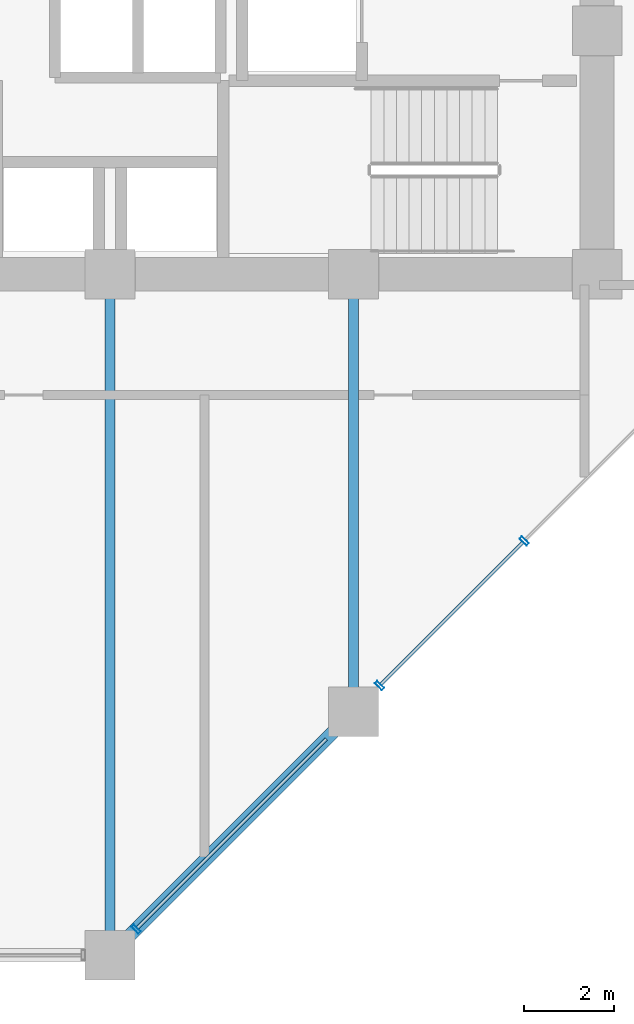
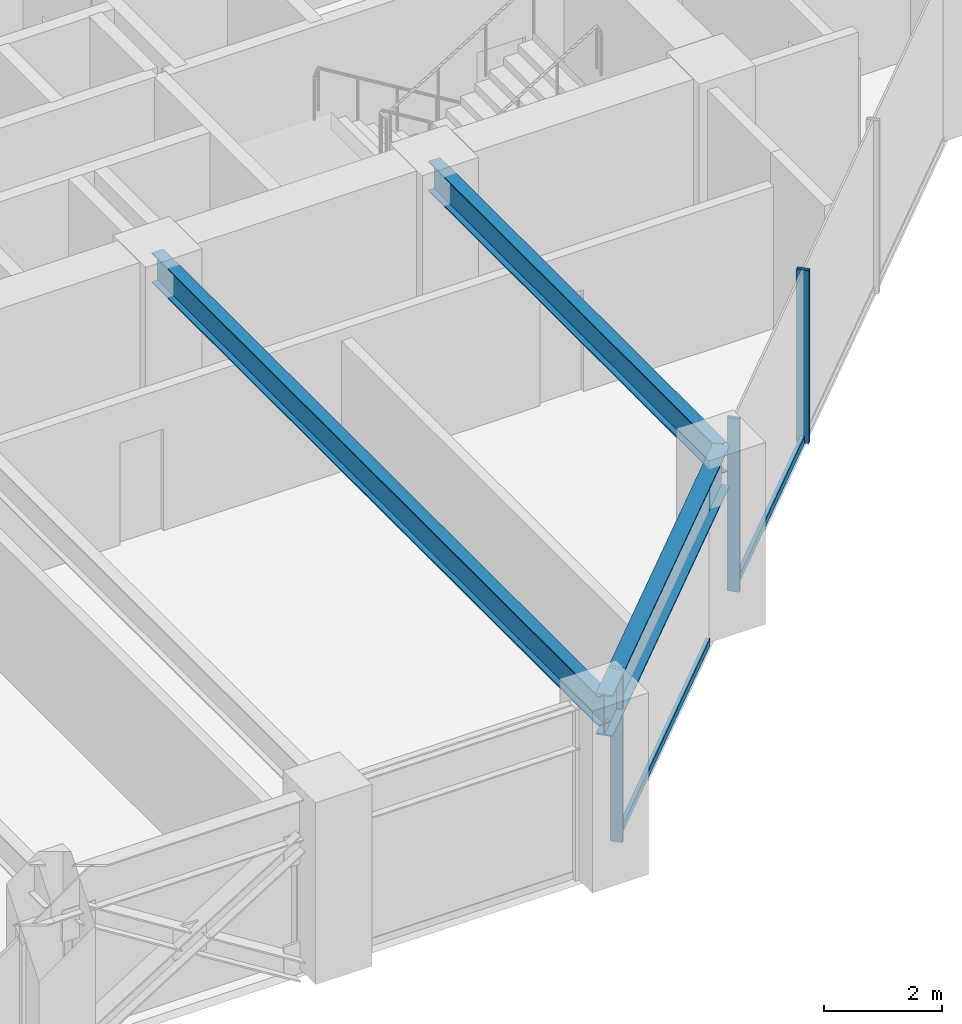
# One storey, part 7 of 25: 5 members, 3 beams, 1 element without a shape of its own.
"""IFC4 building model written with IfcOpenShell, lengths in metres."""

from ifc_helpers import new_model, si_unit, direction, frame, origin, origin_2d, place, context, subcontext, project, spatial, hollow_rectangle, i_section, extrude, material, layer, layer_set, material_profile, profile_set, type_object, element, aggregate, save


model = new_model("IFC4")

# Units and contexts
model_context = context("Model", 3, precision=1e-05, world=origin(), true_north=direction((0.0, 1.0)))
body_context = subcontext(model_context, "Body", "Model", "MODEL_VIEW")
ifc_project = project(units=[si_unit("LENGTHUNIT", "METRE"), si_unit("AREAUNIT", "SQUARE_METRE"), si_unit("VOLUMEUNIT", "CUBIC_METRE"), si_unit("PLANEANGLEUNIT", "RADIAN"), si_unit("MASSUNIT", "GRAM", prefix="KILO")], contexts=[model_context])

# Site, building, storey
site_placement = place(None, origin())
site = spatial("IfcSite", under=ifc_project, at=site_placement, CompositionType="ELEMENT")
building_placement = place(site_placement, origin())
building = spatial("IfcBuilding", under=site, at=building_placement, Name="Surkhivell Harbour Commons", CompositionType="ELEMENT")
storey_placement = place(building_placement, frame((0.0, 0.0, 124.5)))
storey = spatial("IfcBuildingStorey", under=building, at=storey_placement, Name="L32", CompositionType="ELEMENT", Elevation=124.5)

# Beams
ifc_material_1 = material(Name="Steel S355", Category="steel")
ifc_material_profile_1 = material_profile(ifc_material_1, i_section(OverallWidth=0.22998046875, OverallDepth=0.616943359375, WebThickness=0.01318359375, FlangeThickness=0.022216796875, at=origin_2d()), Name="UB610x229x140")
ifc_profile_set_1 = profile_set([ifc_material_profile_1], Name="Steel S355")
beam_type_1 = type_object("IfcBeamType", Name="BM-GRD-610B", PredefinedType="BEAM", material=ifc_profile_set_1)
beam_1_placement = place(storey_placement, frame((0.0, -25.89990234375, 3.261474609375), z_axis=(0.0, 1.0, 0.0), x_axis=(-1.0, 0.0, 0.0)))
element("IfcBeam", 1, at=beam_1_placement, inside=storey, type_object=beam_type_1, Name="L32 Floor Girder (0.0,-25.9)", PredefinedType="BEAM", context=body_context, shape_type="SweptSolid", body=[
    extrude(i_section(OverallWidth=0.22998046875, OverallDepth=0.616943359375, WebThickness=0.01318359375, FlangeThickness=0.022216796875, at=origin_2d()), origin(), (0.0, 0.0, 1.0), 15.099853515625),
])
beam_2_placement = place(storey_placement, frame((5.39990234375, -20.5, 3.261474609375), z_axis=(0.0, 1.0, 0.0), x_axis=(-1.0, 0.0, 0.0)))
element("IfcBeam", 2, at=beam_2_placement, inside=storey, type_object=beam_type_1, Name="L32 Floor Girder (5.4,-20.5)", PredefinedType="BEAM", context=body_context, shape_type="SweptSolid", body=[
    extrude(i_section(OverallWidth=0.22998046875, OverallDepth=0.616943359375, WebThickness=0.01318359375, FlangeThickness=0.022216796875, at=origin_2d()), origin(), (0.0, 0.0, 1.0), 9.699951171875),
])
ifc_material_2 = material(Name="Steel S460", Category="steel")
ifc_material_profile_2 = material_profile(ifc_material_2, i_section(OverallWidth=0.2939453125, OverallDepth=0.85107421875, WebThickness=0.01611328125, FlangeThickness=0.02685546875, at=origin_2d()), Name="UB838x292x226")
ifc_profile_set_2 = profile_set([ifc_material_profile_2], Name="Steel S460")
beam_type_2 = type_object("IfcBeamType", Name="BM-SPN-838", PredefinedType="SPANDREL", material=ifc_profile_set_2)
beam_3_placement = place(storey_placement, frame((0.0, -25.89990234375, 3.14453125), z_axis=(0.707106781187, 0.707106781187, 0.0), x_axis=(-0.707106781187, 0.707106781187, 0.0)))
element("IfcBeam", 3, at=beam_3_placement, inside=storey, type_object=beam_type_2, Name="L32 Tube Spandrel (-0.0,-25.9)", PredefinedType="SPANDREL", context=body_context, shape_type="SweptSolid", body=[
    extrude(i_section(OverallWidth=0.2939453125, OverallDepth=0.85107421875, WebThickness=0.01611328125, FlangeThickness=0.02685546875, at=origin_2d()), origin(), (0.0, 0.0, 1.0), 7.63671875),
])

# Curtain wall, members
ifc_material_3 = material(Name="Anodised pale-metal aluminium and insulated glazing", Category="aluminium")
ifc_layer = layer(ifc_material_3, 0.205078125)
ifc_layer_set = layer_set([ifc_layer], Name="Anodised pale-metal aluminium and insulated glazing")
curtain_wall_type = type_object("IfcCurtainWallType", Name="CW-SYS-Z2", PredefinedType="NOTDEFINED", material=ifc_layer_set)
curtain_wall_placement = place(storey_placement, origin())
curtain_wall = element("IfcCurtainWall", 4, at=curtain_wall_placement, inside=storey, type_object=curtain_wall_type, Name="L32 Curtain Wall CW-L32-E01", PredefinedType="NOTDEFINED")
ifc_material_4 = material(Name="Anodised pale-metal aluminium alloy 6063-T6", Category="aluminium")
ifc_material_profile_3 = material_profile(ifc_material_4, hollow_rectangle(XDim=0.074951171875, YDim=0.219970703125, WallThickness=0.00390625, at=origin_2d()), Name="ALU-MULL-75x220")
ifc_profile_set_3 = profile_set([ifc_material_profile_3], Name="Anodised pale-metal aluminium alloy 6063-T6")
member_type_1 = type_object("IfcMemberType", Name="CWM-220", PredefinedType="MULLION", material=ifc_profile_set_3)
member_1_placement = place(storey_placement, frame((0.578125, -25.32177734375, 0.0), z_axis=(0.0, 0.0, 1.0), x_axis=(0.707106781187, 0.707106781187, 0.0)))
member_1 = element("IfcMember", 5, at=member_1_placement, type_object=member_type_1, Name="CW-Z2 mullion 1", PredefinedType="MULLION", context=body_context, shape_type="SweptSolid", body=[
    extrude(hollow_rectangle(XDim=0.074951171875, YDim=0.219970703125, WallThickness=0.00390625, at=origin_2d()), origin(), (0.0, 0.0, 1.0), 3.570068359375),
])
member_2_placement = place(storey_placement, frame((5.978271484375, -19.921875, 0.0), z_axis=(0.0, 0.0, 1.0), x_axis=(0.707106781187, 0.707106781187, 0.0)))
member_2 = element("IfcMember", 6, at=member_2_placement, type_object=member_type_1, Name="CW-Z2 mullion 2", PredefinedType="MULLION", context=body_context, shape_type="SweptSolid", body=[
    extrude(hollow_rectangle(XDim=0.074951171875, YDim=0.219970703125, WallThickness=0.00390625, at=origin_2d()), origin(), (0.0, 0.0, 1.0), 3.570068359375),
])
member_3_placement = place(storey_placement, frame((9.183837890625, -16.716064453125, 0.0), z_axis=(0.0, 0.0, 1.0), x_axis=(0.707106781187, 0.707106781187, 0.0)))
member_3 = element("IfcMember", 7, at=member_3_placement, type_object=member_type_1, Name="CW-Z2 mullion 3", PredefinedType="MULLION", context=body_context, shape_type="SweptSolid", body=[
    extrude(hollow_rectangle(XDim=0.074951171875, YDim=0.219970703125, WallThickness=0.00390625, at=origin_2d()), origin(), (0.0, 0.0, 1.0), 3.570068359375),
])
ifc_material_profile_4 = material_profile(ifc_material_4, hollow_rectangle(XDim=0.074951171875, YDim=0.14990234375, WallThickness=0.00341796875, at=origin_2d()), Name="ALU-TRAN-75x150")
ifc_profile_set_4 = profile_set([ifc_material_profile_4], Name="Anodised pale-metal aluminium alloy 6063-T6")
member_type_2 = type_object("IfcMemberType", Name="CWT-150", PredefinedType="USERDEFINED", material=ifc_profile_set_4)
member_4_placement = place(storey_placement, frame((0.604736328125, -25.295166015625, 0.074951171875), z_axis=(0.707106781187, 0.707106781187, 0.0), x_axis=(-0.707106781187, 0.707106781187, 0.0)))
member_4 = element("IfcMember", 8, at=member_4_placement, type_object=member_type_2, Name="CW-Z2 transom 1.1", ObjectType="TRANSOM", PredefinedType="USERDEFINED", context=body_context, shape_type="SweptSolid", body=[
    extrude(hollow_rectangle(XDim=0.074951171875, YDim=0.14990234375, WallThickness=0.00341796875, at=origin_2d()), origin(), (0.0, 0.0, 1.0), 5.92626953125),
])
member_5_placement = place(storey_placement, frame((6.004638671875, -19.895263671875, 0.074951171875), z_axis=(0.707134159244, 0.707079402069, 0.0), x_axis=(-0.707079402069, 0.707134159244, 0.0)))
member_5 = element("IfcMember", 9, at=member_5_placement, type_object=member_type_2, Name="CW-Z2 transom 2.1", ObjectType="TRANSOM", PredefinedType="USERDEFINED", context=body_context, shape_type="SweptSolid", body=[
    extrude(hollow_rectangle(XDim=0.074951171875, YDim=0.14990234375, WallThickness=0.00341796875, at=origin_2d()), origin(), (0.0, 0.0, 1.0), 4.45849609375),
])
aggregate(curtain_wall, [member_1, member_4, member_2, member_3, member_5])

save(model, "model.ifc")
